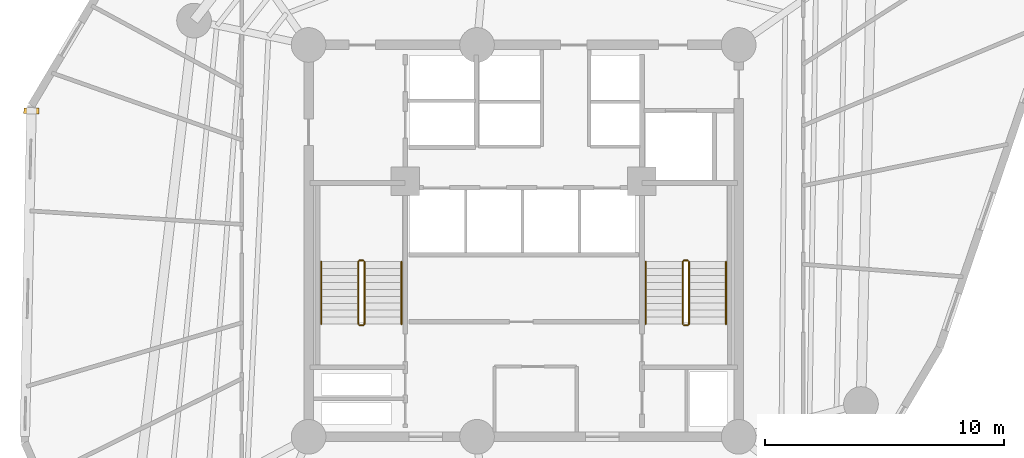
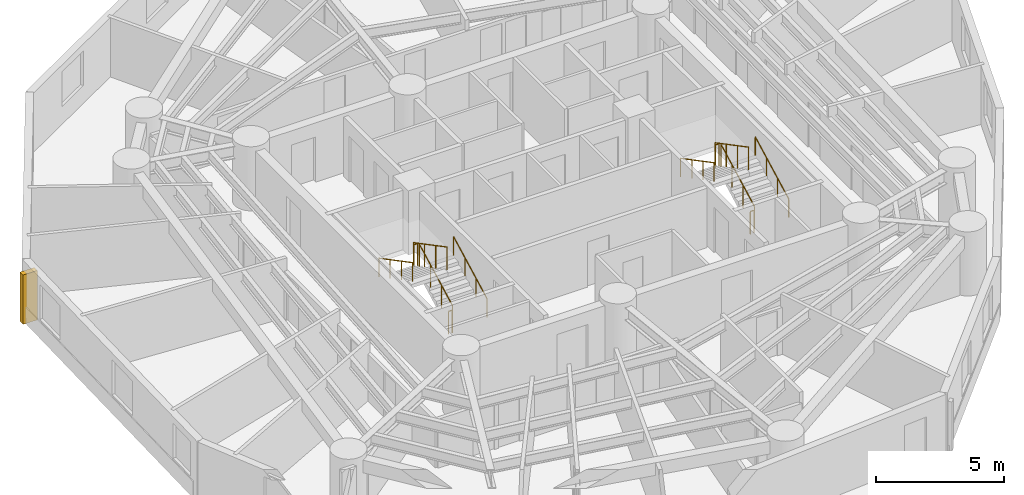
# One storey, part 9 of 10: 12 railings, 1 shading device.
"""IFC4 building model written with IfcOpenShell, lengths in metres."""

from ifc_helpers import new_model, si_unit, direction, frame, origin, origin_with_axes, origin_2d, place, context, subcontext, project, spatial, rectangle, circle, extrude, source, transform, mapped, material, layer, layer_set, type_object, element, save


model = new_model("IFC4")

# Units and contexts
model_context = context("Model", 3, precision=1e-05, world=origin(), true_north=direction((0.0, 1.0)))
body_context = subcontext(model_context, "Body", "Model", "MODEL_VIEW")
ifc_project = project(units=[si_unit("LENGTHUNIT", "METRE"), si_unit("AREAUNIT", "SQUARE_METRE"), si_unit("VOLUMEUNIT", "CUBIC_METRE"), si_unit("PLANEANGLEUNIT", "RADIAN"), si_unit("MASSUNIT", "GRAM", prefix="KILO")], contexts=[model_context])

# Site, building, storey
site_placement = place(None, origin())
site = spatial("IfcSite", under=ifc_project, at=site_placement, CompositionType="ELEMENT")
building_placement = place(site_placement, origin())
building = spatial("IfcBuilding", under=site, at=building_placement, Name="Karkom Vertical University and Central Library", CompositionType="ELEMENT")
storey_placement = place(building_placement, frame((0.0, 0.0, 111.449951171875)))
storey = spatial("IfcBuildingStorey", under=building, at=storey_placement, Name="L30", CompositionType="ELEMENT", Elevation=111.449951171875)

# Railings
ifc_material_1 = material(Name="Painted galvanised steel balustrade", Category="steel")
ifc_layer_1 = layer(ifc_material_1, 0.06005859375)
ifc_layer_set_1 = layer_set([ifc_layer_1], Name="Painted galvanised steel balustrade")
railing_type_1 = type_object("IfcRailingType", Name="INT-RL-GUARD1100", PredefinedType="GUARDRAIL", material=ifc_layer_set_1)
railing_1_placement = place(storey_placement, frame((21.840087890625, 23.02001953125, 0.152587890625)))
element("IfcRailing", 1, at=railing_1_placement, inside=storey, type_object=railing_type_1, Name="Level 30 ST-1 stair guard 1", PredefinedType="GUARDRAIL", context=body_context, shape_type="SweptSolid", body=[
    extrude(circle(Radius=0.02392578125, at=origin_2d()), frame((0.0, 0.0, 1.076171875), z_axis=(0.0, 0.885065446896, 0.46546659892), x_axis=(-1.0, 0.0, 0.0)), (0.0, 0.0, 1.0), 2.94873046875),
    extrude(circle(Radius=0.02099609375, at=origin_2d()), origin(), (0.0, 0.0, 1.0), 1.052001953125),
    extrude(circle(Radius=0.02099609375, at=origin_2d()), frame((0.0, 0.869873046875, 0.45751953125)), (0.0, 0.0, 1.0), 1.052001953125),
    extrude(circle(Radius=0.02099609375, at=origin_2d()), frame((0.0, 1.739990234375, 0.9150390625)), (0.0, 0.0, 1.0), 1.052001953125),
    extrude(circle(Radius=0.02099609375, at=origin_2d()), frame((0.0, 2.60986328125, 1.37255859375)), (0.0, 0.0, 1.0), 1.052001953125),
])
railing_2_placement = place(storey_placement, frame((21.7900390625, 25.679931640625, 1.525146484375)))
element("IfcRailing", 2, at=railing_2_placement, inside=storey, type_object=railing_type_1, Name="Level 30 ST-1 stair guard 2", PredefinedType="GUARDRAIL", context=body_context, shape_type="SweptSolid", body=[
    extrude(circle(Radius=0.02392578125, at=origin_2d()), frame((0.0, 0.0, 1.076171875), z_axis=(-1.0, 0.0, 0.0), x_axis=(0.0, -1.0, 0.0)), (0.0, 0.0, 1.0), 0.16015625),
    extrude(circle(Radius=0.02099609375, at=origin_2d()), origin(), (0.0, 0.0, 1.0), 1.052001953125),
    extrude(circle(Radius=0.02099609375, at=origin_2d()), frame((-0.16015625, 0.0, 0.0)), (0.0, 0.0, 1.0), 1.052001953125),
])
railing_3_placement = place(storey_placement, frame((21.580078125, 25.6298828125, 1.677490234375)))
element("IfcRailing", 3, at=railing_3_placement, inside=storey, type_object=railing_type_1, Name="Level 30 ST-1 stair guard 3", PredefinedType="GUARDRAIL", context=body_context, shape_type="SweptSolid", body=[
    extrude(circle(Radius=0.02392578125, at=origin_2d()), frame((0.0, 0.0, 1.076171875), z_axis=(0.0, -0.885065446896, 0.46546659892), x_axis=(1.0, 0.0, 0.0)), (0.0, 0.0, 1.0), 2.94873046875),
    extrude(circle(Radius=0.02099609375, at=origin_2d()), origin(), (0.0, 0.0, 1.0), 1.052001953125),
    extrude(circle(Radius=0.02099609375, at=origin_2d()), frame((0.0, -0.869873046875, 0.45751953125)), (0.0, 0.0, 1.0), 1.052001953125),
    extrude(circle(Radius=0.02099609375, at=origin_2d()), frame((0.0, -1.739990234375, 0.9150390625)), (0.0, 0.0, 1.0), 1.052001953125),
    extrude(circle(Radius=0.02099609375, at=origin_2d()), frame((0.0, -2.60986328125, 1.37255859375)), (0.0, 0.0, 1.0), 1.052001953125),
])
railing_4_placement = place(storey_placement, frame((21.7900390625, 22.969970703125, 0.0)))
element("IfcRailing", 4, at=railing_4_placement, inside=storey, type_object=railing_type_1, Name="Level 30 ST-1 stair guard 4", PredefinedType="GUARDRAIL", context=body_context, shape_type="SweptSolid", body=[
    extrude(circle(Radius=0.02392578125, at=origin_2d()), frame((0.0, 0.0, 1.076171875), z_axis=(-1.0, 0.0, 0.0), x_axis=(0.0, -1.0, 0.0)), (0.0, 0.0, 1.0), 0.16015625),
    extrude(circle(Radius=0.02099609375, at=origin_2d()), origin(), (0.0, 0.0, 1.0), 1.052001953125),
    extrude(circle(Radius=0.02099609375, at=origin_2d()), frame((-0.16015625, 0.0, 0.0)), (0.0, 0.0, 1.0), 1.052001953125),
])
railing_5_placement = place(storey_placement, frame((35.419921875, 23.02001953125, 0.152587890625)))
element("IfcRailing", 5, at=railing_5_placement, inside=storey, type_object=railing_type_1, Name="Level 30 ST-2 stair guard 1", PredefinedType="GUARDRAIL", context=body_context, shape_type="SweptSolid", body=[
    extrude(circle(Radius=0.02392578125, at=origin_2d()), frame((0.0, 0.0, 1.076171875), z_axis=(0.0, 0.885065446896, 0.46546659892), x_axis=(-1.0, 0.0, 0.0)), (0.0, 0.0, 1.0), 2.94873046875),
    extrude(circle(Radius=0.02099609375, at=origin_2d()), origin(), (0.0, 0.0, 1.0), 1.052001953125),
    extrude(circle(Radius=0.02099609375, at=origin_2d()), frame((0.0, 0.869873046875, 0.45751953125)), (0.0, 0.0, 1.0), 1.052001953125),
    extrude(circle(Radius=0.02099609375, at=origin_2d()), frame((0.0, 1.739990234375, 0.9150390625)), (0.0, 0.0, 1.0), 1.052001953125),
    extrude(circle(Radius=0.02099609375, at=origin_2d()), frame((0.0, 2.60986328125, 1.37255859375)), (0.0, 0.0, 1.0), 1.052001953125),
])
railing_6_placement = place(storey_placement, frame((35.3701171875, 25.679931640625, 1.525146484375)))
element("IfcRailing", 6, at=railing_6_placement, inside=storey, type_object=railing_type_1, Name="Level 30 ST-2 stair guard 2", PredefinedType="GUARDRAIL", context=body_context, shape_type="SweptSolid", body=[
    extrude(circle(Radius=0.02392578125, at=origin_2d()), frame((0.0, 0.0, 1.076171875), z_axis=(-1.0, 0.0, 0.0), x_axis=(0.0, -1.0, 0.0)), (0.0, 0.0, 1.0), 0.16015625),
    extrude(circle(Radius=0.02099609375, at=origin_2d()), origin(), (0.0, 0.0, 1.0), 1.052001953125),
    extrude(circle(Radius=0.02099609375, at=origin_2d()), frame((-0.16015625, 0.0, 0.0)), (0.0, 0.0, 1.0), 1.052001953125),
])
railing_7_placement = place(storey_placement, frame((35.159912109375, 25.6298828125, 1.677490234375)))
element("IfcRailing", 7, at=railing_7_placement, inside=storey, type_object=railing_type_1, Name="Level 30 ST-2 stair guard 3", PredefinedType="GUARDRAIL", context=body_context, shape_type="SweptSolid", body=[
    extrude(circle(Radius=0.02392578125, at=origin_2d()), frame((0.0, 0.0, 1.076171875), z_axis=(0.0, -0.885065446896, 0.46546659892), x_axis=(1.0, 0.0, 0.0)), (0.0, 0.0, 1.0), 2.94873046875),
    extrude(circle(Radius=0.02099609375, at=origin_2d()), origin(), (0.0, 0.0, 1.0), 1.052001953125),
    extrude(circle(Radius=0.02099609375, at=origin_2d()), frame((0.0, -0.869873046875, 0.45751953125)), (0.0, 0.0, 1.0), 1.052001953125),
    extrude(circle(Radius=0.02099609375, at=origin_2d()), frame((0.0, -1.739990234375, 0.9150390625)), (0.0, 0.0, 1.0), 1.052001953125),
    extrude(circle(Radius=0.02099609375, at=origin_2d()), frame((0.0, -2.60986328125, 1.37255859375)), (0.0, 0.0, 1.0), 1.052001953125),
])
railing_8_placement = place(storey_placement, frame((35.3701171875, 22.969970703125, 0.0)))
element("IfcRailing", 8, at=railing_8_placement, inside=storey, type_object=railing_type_1, Name="Level 30 ST-2 stair guard 4", PredefinedType="GUARDRAIL", context=body_context, shape_type="SweptSolid", body=[
    extrude(circle(Radius=0.02392578125, at=origin_2d()), frame((0.0, 0.0, 1.076171875), z_axis=(-1.0, 0.0, 0.0), x_axis=(0.0, -1.0, 0.0)), (0.0, 0.0, 1.0), 0.16015625),
    extrude(circle(Radius=0.02099609375, at=origin_2d()), origin(), (0.0, 0.0, 1.0), 1.052001953125),
    extrude(circle(Radius=0.02099609375, at=origin_2d()), frame((-0.16015625, 0.0, 0.0)), (0.0, 0.0, 1.0), 1.052001953125),
])
ifc_material_2 = material(Name="Brushed stainless-steel tubular handrail", Category="steel")
ifc_layer_2 = layer(ifc_material_2, 0.048095703125)
ifc_layer_set_2 = layer_set([ifc_layer_2], Name="Brushed stainless-steel tubular handrail")
railing_type_2 = type_object("IfcRailingType", Name="INT-RL-HAND920", PredefinedType="HANDRAIL", material=ifc_layer_set_2)
railing_9_placement = place(storey_placement, frame((23.389892578125, 23.02001953125, 0.152587890625)))
element("IfcRailing", 9, at=railing_9_placement, inside=storey, type_object=railing_type_2, Name="Level 30 ST-1 stair handrail 1", PredefinedType="HANDRAIL", context=body_context, shape_type="SweptSolid", body=[
    extrude(circle(Radius=0.02392578125, at=origin_2d()), frame((0.0, 0.0, 0.8759765625), z_axis=(0.0, 0.885065446896, 0.46546659892), x_axis=(-1.0, 0.0, 0.0)), (0.0, 0.0, 1.0), 2.94873046875),
    extrude(circle(Radius=0.02099609375, at=origin_2d()), origin(), (0.0, 0.0, 1.0), 0.851806640625),
    extrude(circle(Radius=0.02099609375, at=origin_2d()), frame((0.0, 0.869873046875, 0.45751953125)), (0.0, 0.0, 1.0), 0.851806640625),
    extrude(circle(Radius=0.02099609375, at=origin_2d()), frame((0.0, 1.739990234375, 0.9150390625)), (0.0, 0.0, 1.0), 0.851806640625),
    extrude(circle(Radius=0.02099609375, at=origin_2d()), frame((0.0, 2.60986328125, 1.37255859375)), (0.0, 0.0, 1.0), 0.851806640625),
])
railing_10_placement = place(storey_placement, frame((20.030029296875, 25.6298828125, 1.677490234375)))
element("IfcRailing", 10, at=railing_10_placement, inside=storey, type_object=railing_type_2, Name="Level 30 ST-1 stair handrail 2", PredefinedType="HANDRAIL", context=body_context, shape_type="SweptSolid", body=[
    extrude(circle(Radius=0.02392578125, at=origin_2d()), frame((0.0, 0.0, 0.8759765625), z_axis=(0.0, -0.885065446896, 0.46546659892), x_axis=(1.0, 0.0, 0.0)), (0.0, 0.0, 1.0), 2.94873046875),
    extrude(circle(Radius=0.02099609375, at=origin_2d()), origin(), (0.0, 0.0, 1.0), 0.851806640625),
    extrude(circle(Radius=0.02099609375, at=origin_2d()), frame((0.0, -0.869873046875, 0.45751953125)), (0.0, 0.0, 1.0), 0.851806640625),
    extrude(circle(Radius=0.02099609375, at=origin_2d()), frame((0.0, -1.739990234375, 0.9150390625)), (0.0, 0.0, 1.0), 0.851806640625),
    extrude(circle(Radius=0.02099609375, at=origin_2d()), frame((0.0, -2.60986328125, 1.37255859375)), (0.0, 0.0, 1.0), 0.851806640625),
])
railing_11_placement = place(storey_placement, frame((36.969970703125, 23.02001953125, 0.152587890625)))
element("IfcRailing", 11, at=railing_11_placement, inside=storey, type_object=railing_type_2, Name="Level 30 ST-2 stair handrail 1", PredefinedType="HANDRAIL", context=body_context, shape_type="SweptSolid", body=[
    extrude(circle(Radius=0.02392578125, at=origin_2d()), frame((0.0, 0.0, 0.8759765625), z_axis=(0.0, 0.885065446896, 0.46546659892), x_axis=(-1.0, 0.0, 0.0)), (0.0, 0.0, 1.0), 2.94873046875),
    extrude(circle(Radius=0.02099609375, at=origin_2d()), origin(), (0.0, 0.0, 1.0), 0.851806640625),
    extrude(circle(Radius=0.02099609375, at=origin_2d()), frame((0.0, 0.869873046875, 0.45751953125)), (0.0, 0.0, 1.0), 0.851806640625),
    extrude(circle(Radius=0.02099609375, at=origin_2d()), frame((0.0, 1.739990234375, 0.9150390625)), (0.0, 0.0, 1.0), 0.851806640625),
    extrude(circle(Radius=0.02099609375, at=origin_2d()), frame((0.0, 2.60986328125, 1.37255859375)), (0.0, 0.0, 1.0), 0.851806640625),
])
railing_12_placement = place(storey_placement, frame((33.610107421875, 25.6298828125, 1.677490234375)))
element("IfcRailing", 12, at=railing_12_placement, inside=storey, type_object=railing_type_2, Name="Level 30 ST-2 stair handrail 2", PredefinedType="HANDRAIL", context=body_context, shape_type="SweptSolid", body=[
    extrude(circle(Radius=0.02392578125, at=origin_2d()), frame((0.0, 0.0, 0.8759765625), z_axis=(0.0, -0.885065446896, 0.46546659892), x_axis=(1.0, 0.0, 0.0)), (0.0, 0.0, 1.0), 2.94873046875),
    extrude(circle(Radius=0.02099609375, at=origin_2d()), origin(), (0.0, 0.0, 1.0), 0.851806640625),
    extrude(circle(Radius=0.02099609375, at=origin_2d()), frame((0.0, -0.869873046875, 0.45751953125)), (0.0, 0.0, 1.0), 0.851806640625),
    extrude(circle(Radius=0.02099609375, at=origin_2d()), frame((0.0, -1.739990234375, 0.9150390625)), (0.0, 0.0, 1.0), 0.851806640625),
    extrude(circle(Radius=0.02099609375, at=origin_2d()), frame((0.0, -2.60986328125, 1.37255859375)), (0.0, 0.0, 1.0), 0.851806640625),
])

# Shading device
ifc_material_3 = material(Name="Terracotta-clad precast concrete sun-breaker fin C45/55", Category="masonry")
shading_device_type = type_object("IfcShadingDeviceType", Name="ENV-SHD-BRISE", PredefinedType="USERDEFINED", material=ifc_material_3)
shared_shape = source(origin_with_axes(), body_context, "Body", "SweptSolid", [
    extrude(rectangle(XDim=0.239990234375, YDim=0.639892578125, at=origin_2d()), origin(), (0.0, 0.0, 1.0), 2.35009765625),
])
shading_device_placement = place(storey_placement, frame((7.90087890625, 31.943603515625, 0.0), z_axis=(0.0, 0.0, 1.0), x_axis=(-0.020418933095, -0.999791511852, 0.0)))
element("IfcShadingDevice", 13, at=shading_device_placement, inside=storey, type_object=shading_device_type, Name="Level 30 Brutalist Brise-Soleil Fin 01", ObjectType="BRISE SOLEIL", PredefinedType="USERDEFINED", context=body_context, shape_type="MappedRepresentation", body=[
    mapped(shared_shape, transform((0.0, 0.0, 0.0), scale=1.0)),
])

save(model, "model.ifc")
